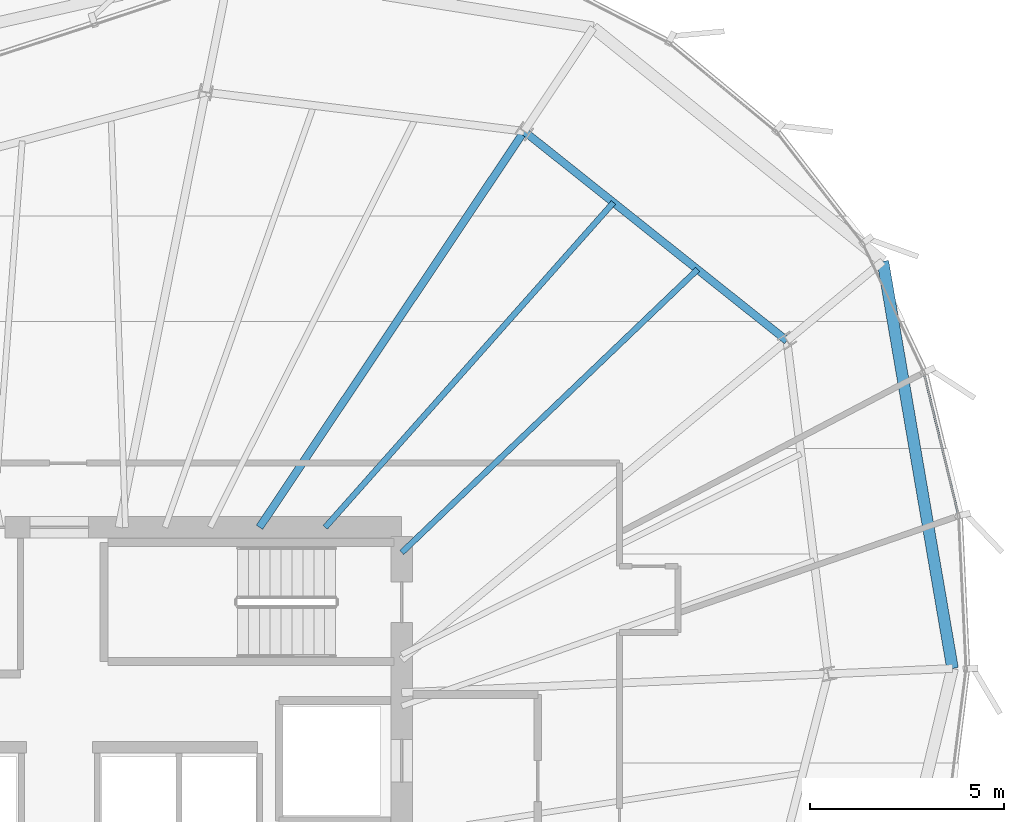
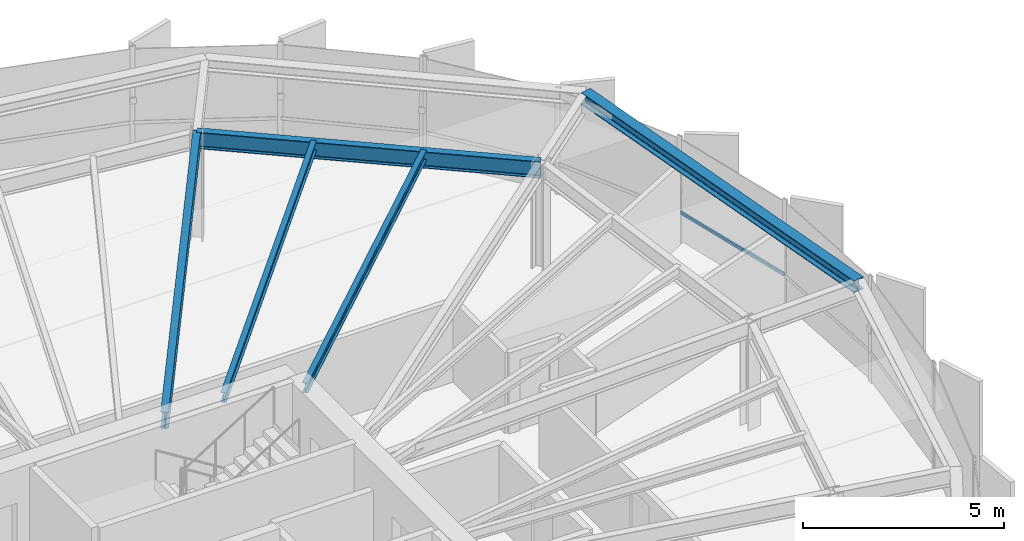
# One storey, part 23 of 33: 5 beams, 1 member, 1 element without a shape of its own.
"""IFC4 building model written with IfcOpenShell, lengths in metres."""

from ifc_helpers import new_model, si_unit, direction, frame, origin, origin_2d, place, context, subcontext, project, spatial, hollow_rectangle, i_section, extrude, source, transform, mapped, material, layer, layer_set, material_profile, profile_set, type_object, element, aggregate, save


model = new_model("IFC4")

# Units and contexts
model_context = context("Model", 3, precision=1e-05, world=origin(), true_north=direction((0.0, 1.0)))
body_context = subcontext(model_context, "Body", "Model", "MODEL_VIEW")
ifc_project = project(units=[si_unit("LENGTHUNIT", "METRE"), si_unit("AREAUNIT", "SQUARE_METRE"), si_unit("VOLUMEUNIT", "CUBIC_METRE"), si_unit("PLANEANGLEUNIT", "RADIAN"), si_unit("MASSUNIT", "GRAM", prefix="KILO"), si_unit("THERMODYNAMICTEMPERATUREUNIT", "KELVIN")], contexts=[model_context])

# Site, building, storey
site_placement = place(None, origin())
site = spatial("IfcSite", under=ifc_project, at=site_placement, CompositionType="ELEMENT")
building_placement = place(site_placement, origin())
building = spatial("IfcBuilding", under=site, at=building_placement, Name="Kethvar Cultural Tower", CompositionType="ELEMENT")
storey_placement = place(building_placement, frame((0.0, 0.0, 211.39990234375)))
storey = spatial("IfcBuildingStorey", under=building, at=storey_placement, Name="L55", CompositionType="ELEMENT", Elevation=211.39990234375)

# Beams
ifc_material_1 = material(Name="Steel S355J2", Category="steel")
ifc_material_profile_1 = material_profile(ifc_material_1, i_section(OverallWidth=0.199951171875, OverallDepth=0.5, WebThickness=0.01025390625, FlangeThickness=0.01611328125, FilletRadius=0.02099609375, at=origin_2d()), Name="Steel S355J2 — IPE500")
ifc_profile_set_1 = profile_set([ifc_material_profile_1], Name="Steel S355J2 — IPE500")
beam_type_1 = type_object("IfcBeamType", Name="BM-IPE500", PredefinedType="BEAM", material=ifc_profile_set_1)
shared_shape_1 = source(origin(), body_context, "Body", "SweptSolid", [
    extrude(i_section(OverallWidth=0.199951171875, OverallDepth=0.5, WebThickness=0.01025390625, FlangeThickness=0.01611328125, FilletRadius=0.02099609375, at=origin_2d()), origin(), (0.0, 0.0, 1.0), 12.2451171875),
])
beam_1_placement = place(storey_placement, frame((51.945068359375, 35.5, 3.008056640625), z_axis=(0.555569492312, 0.831470107227, 0.0), x_axis=(-0.831470107227, 0.555569492312, 0.0)))
element("IfcBeam", 1, at=beam_1_placement, inside=storey, type_object=beam_type_1, Name="L55 Primary Radial Beam RB-03", PredefinedType="BEAM", context=body_context, shape_type="MappedRepresentation", body=[
    mapped(shared_shape_1, transform((0.0, 0.0, 0.0), scale=1.0)),
])
ifc_material_profile_2 = material_profile(ifc_material_1, i_section(OverallWidth=0.300048828125, OverallDepth=0.360107421875, WebThickness=0.012451171875, FlangeThickness=0.0224609375, FilletRadius=0.027099609375, at=origin_2d()), Name="Steel S355J2 — HEB360")
ifc_profile_set_2 = profile_set([ifc_material_profile_2], Name="Steel S355J2 — HEB360")
beam_type_2 = type_object("IfcBeamType", Name="BM-SP360", PredefinedType="SPANDREL", material=ifc_profile_set_2)
shared_shape_2 = source(origin(), body_context, "Body", "SweptSolid", [
    extrude(i_section(OverallWidth=0.300048828125, OverallDepth=0.360107421875, WebThickness=0.012451171875, FlangeThickness=0.0224609375, FilletRadius=0.027099609375, at=origin_2d()), origin(), (0.0, 0.0, 1.0), 10.618896484375),
])
beam_2_placement = place(storey_placement, frame((69.760986328125, 31.87158203125, 3.078125), z_axis=(-0.168733441284, 0.985661719756, 0.0), x_axis=(-0.985661719756, -0.168733441284, 0.0)))
element("IfcBeam", 2, at=beam_2_placement, inside=storey, type_object=beam_type_2, Name="L55 Perimeter Spandrel Beam SP-01", PredefinedType="SPANDREL", context=body_context, shape_type="MappedRepresentation", body=[
    mapped(shared_shape_2, transform((0.0, 0.0, 0.0), scale=1.0)),
])
shared_shape_3 = source(origin(), body_context, "Body", "SweptSolid", [
    extrude(i_section(OverallWidth=0.199951171875, OverallDepth=0.5, WebThickness=0.01025390625, FlangeThickness=0.01611328125, FilletRadius=0.02099609375, at=origin_2d()), origin(), (0.0, 0.0, 1.0), 8.638916015625),
])
beam_3_placement = place(storey_placement, frame((65.504150390625, 40.297607421875, 3.008056640625), z_axis=(-0.782058475366, 0.623205055425, 0.0), x_axis=(-0.623205055425, -0.782058475366, 0.0)))
element("IfcBeam", 3, at=beam_3_placement, inside=storey, type_object=beam_type_1, Name="L55 Column Ring Tie Beam CR-02", PredefinedType="BEAM", context=body_context, shape_type="MappedRepresentation", body=[
    mapped(shared_shape_3, transform((0.0, 0.0, 0.0), scale=1.0)),
])
ifc_material_profile_3 = material_profile(ifc_material_1, i_section(OverallWidth=0.14990234375, OverallDepth=0.300048828125, WebThickness=0.007080078125, FlangeThickness=0.0107421875, FilletRadius=0.014892578125, at=origin_2d()), Name="Steel S355J2 — IPE300")
ifc_profile_set_3 = profile_set([ifc_material_profile_3], Name="Steel S355J2 — IPE300")
beam_type_3 = type_object("IfcBeamType", Name="BM-J300", PredefinedType="JOIST", material=ifc_profile_set_3)
shared_shape_4 = source(origin(), body_context, "Body", "SweptSolid", [
    extrude(i_section(OverallWidth=0.14990234375, OverallDepth=0.300048828125, WebThickness=0.007080078125, FlangeThickness=0.0107421875, FilletRadius=0.014892578125, at=origin_2d()), origin(), (0.0, 0.0, 1.0), 10.52783203125),
])
beam_4_placement = place(storey_placement, frame((55.60009765625, 34.85009765625, 3.108154296875), z_axis=(0.722552708299, 0.691315835006, 0.0), x_axis=(-0.691315835006, 0.722552708299, 0.0)))
element("IfcBeam", 4, at=beam_4_placement, inside=storey, type_object=beam_type_3, Name="L55 Composite Floor Joist J-02A", PredefinedType="JOIST", context=body_context, shape_type="MappedRepresentation", body=[
    mapped(shared_shape_4, transform((0.0, 0.0, 0.0), scale=1.0)),
])
shared_shape_5 = source(origin(), body_context, "Body", "SweptSolid", [
    extrude(i_section(OverallWidth=0.14990234375, OverallDepth=0.300048828125, WebThickness=0.007080078125, FlangeThickness=0.0107421875, FilletRadius=0.014892578125, at=origin_2d()), origin(), (0.0, 0.0, 1.0), 11.16552734375),
])
beam_5_placement = place(storey_placement, frame((53.6337890625, 35.5, 3.108154296875), z_axis=(0.663773261048, 0.747933859321, 0.0), x_axis=(-0.747933859321, 0.663773261048, 0.0)))
element("IfcBeam", 5, at=beam_5_placement, inside=storey, type_object=beam_type_3, Name="L55 Composite Floor Joist J-02B", PredefinedType="JOIST", context=body_context, shape_type="MappedRepresentation", body=[
    mapped(shared_shape_5, transform((0.0, 0.0, 0.0), scale=1.0)),
])

# Curtain wall, member
ifc_material_2 = material(Name="Aluminium 6063-T6", Category="aluminium")
ifc_layer = layer(ifc_material_2, 0.179931640625, Name="Aluminium 6063-T6", Category="aluminium")
ifc_layer_set = layer_set([ifc_layer], Name="Aluminium 6063-T6 (180 mm)")
curtain_wall_type = type_object("IfcCurtainWallType", Name="CW-SYS-04-Z34", PredefinedType="NOTDEFINED", material=ifc_layer_set)
curtain_wall_placement = place(storey_placement, origin())
curtain_wall = element("IfcCurtainWall", 6, at=curtain_wall_placement, inside=storey, type_object=curtain_wall_type, Name="L55 Curtain Wall Run 06", PredefinedType="NOTDEFINED")
ifc_material_profile_4 = material_profile(ifc_material_2, hollow_rectangle(XDim=0.050048828125, YDim=0.10009765625, WallThickness=0.00390625, at=origin_2d()), Name="Aluminium 6063-T6 — RHS100x50x4")
ifc_profile_set_4 = profile_set([ifc_material_profile_4], Name="Aluminium 6063-T6 — RHS100x50x4")
member_type = type_object("IfcMemberType", Name="CW-SYS-04-Z34-TRN", PredefinedType="USERDEFINED", material=ifc_profile_set_4)
shared_shape_6 = source(origin(), body_context, "Body", "SweptSolid", [
    extrude(hollow_rectangle(XDim=0.050048828125, YDim=0.10009765625, WallThickness=0.00390625, at=origin_2d()), origin(), (0.0, 0.0, 1.0), 3.726806640625),
])
member_placement = place(storey_placement, frame((69.906005859375, 35.835205078125, 0.9501953125), z_axis=(-0.23584001753, 0.971791894456, 0.0), x_axis=(-0.971791894456, -0.23584001753, 0.0)))
member = element("IfcMember", 7, at=member_placement, type_object=member_type, Name="CW-L55-R06 Transom 3", ObjectType="TRANSOM", PredefinedType="USERDEFINED", context=body_context, shape_type="MappedRepresentation", body=[
    mapped(shared_shape_6, transform((0.0, 0.0, 0.0), scale=1.0)),
])
aggregate(curtain_wall, [member])

save(model, "model.ifc")
